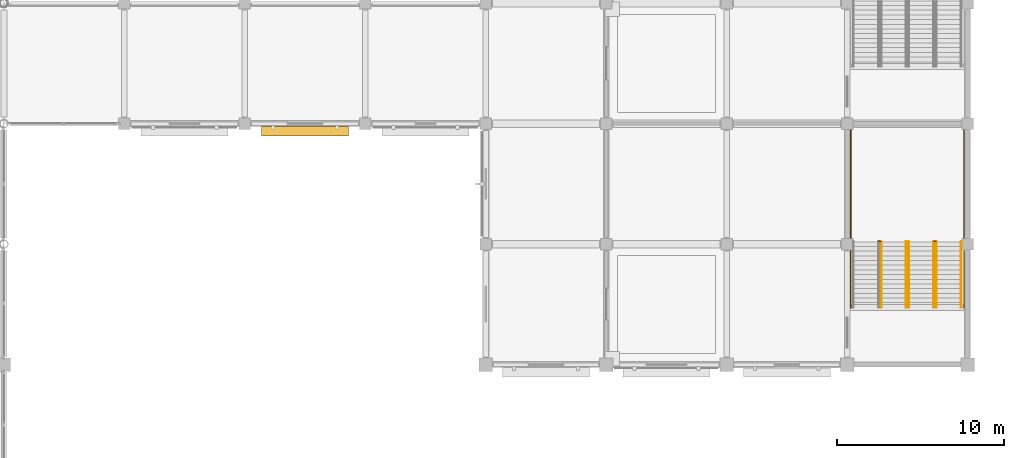
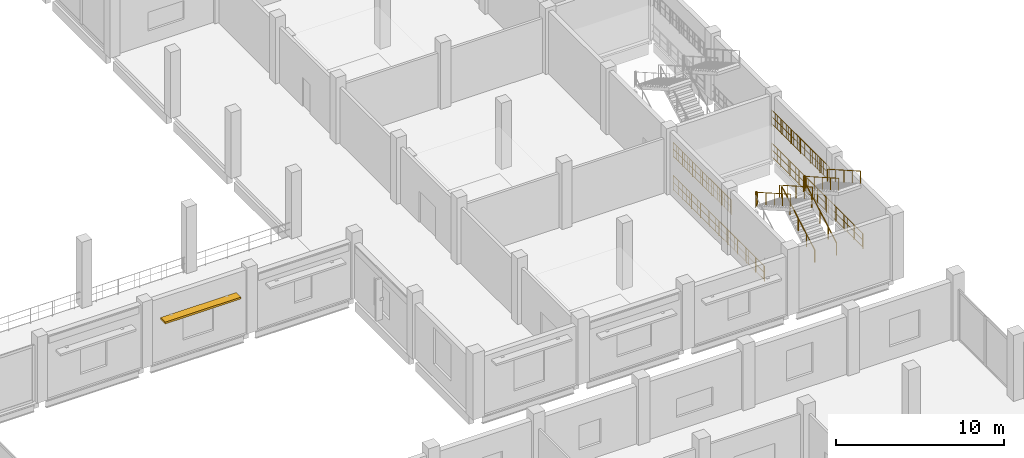
# One storey, part 96 of 99: 12 railings, 1 shading device.
"""IFC4 building model written with IfcOpenShell, lengths in metres."""

from ifc_helpers import new_model, si_unit, direction, frame, origin, origin_2d, place, context, subcontext, project, spatial, rectangle, circle, extrude, material, type_object, element, save


model = new_model("IFC4")

# Units and contexts
model_context = context("Model", 3, precision=1e-05, world=origin(), true_north=direction((0.0, 1.0)))
body_context = subcontext(model_context, "Body", "Model", "MODEL_VIEW")
ifc_project = project(units=[si_unit("LENGTHUNIT", "METRE"), si_unit("AREAUNIT", "SQUARE_METRE"), si_unit("VOLUMEUNIT", "CUBIC_METRE"), si_unit("PLANEANGLEUNIT", "RADIAN"), si_unit("MASSUNIT", "GRAM", prefix="KILO")], contexts=[model_context])

# Site, building, storey
site_placement = place(None, origin())
site = spatial("IfcSite", under=ifc_project, at=site_placement, CompositionType="ELEMENT")
building_placement = place(site_placement, origin())
building = spatial("IfcBuilding", under=site, at=building_placement, Name="Vesperath Aquatics Centre", CompositionType="ELEMENT")
storey_placement = place(building_placement, frame((0.0, 0.0, 5.39990234375)))
storey = spatial("IfcBuildingStorey", under=building, at=storey_placement, Name="L01", CompositionType="ELEMENT", Elevation=5.39990234375)

# Railings
ifc_material_1 = material(Name="Powder-coated galvanized steel safety guard", Category="steel")
railing_type_1 = type_object("IfcRailingType", Name="RL-GRD01", PredefinedType="GUARDRAIL", material=ifc_material_1)
railing_1_placement = place(storey_placement, frame((167.5, 57.780029296875, 2.400146484375)))
element("IfcRailing", 1, at=railing_1_placement, inside=storey, type_object=railing_type_1, Name="Stair ST12A Half-Landing Slot Guard GR02 L01", PredefinedType="GUARDRAIL", context=body_context, shape_type="SweptSolid", body=[
    extrude(circle(Radius=0.02392578125, at=origin_2d()), frame((0.0, 0.0, 1.0859375), z_axis=(1.0, 0.0, 0.0), x_axis=(0.0, 1.0, 0.0)), (0.0, 0.0, 1.0), 0.10009765625),
    extrude(circle(Radius=0.01611328125, at=origin_2d()), frame((0.0, 0.0, 0.10009765625), z_axis=(1.0, 0.0, 0.0), x_axis=(0.0, 1.0, 0.0)), (0.0, 0.0, 1.0), 0.10009765625),
    extrude(circle(Radius=0.01611328125, at=origin_2d()), frame((0.0, 0.0, 0.610595703125), z_axis=(1.0, 0.0, 0.0), x_axis=(0.0, 1.0, 0.0)), (0.0, 0.0, 1.0), 0.10009765625),
    extrude(circle(Radius=0.009033203125, at=origin_2d()), frame((0.050048828125, 0.0, 0.10009765625)), (0.0, 0.0, 1.0), 0.9619140625),
    extrude(circle(Radius=0.02197265625, at=origin_2d()), origin(), (0.0, 0.0, 1.0), 1.0859375),
    extrude(circle(Radius=0.02197265625, at=origin_2d()), frame((0.10009765625, 0.0, 0.0)), (0.0, 0.0, 1.0), 1.0859375),
])
railing_2_placement = place(storey_placement, frame((165.820068359375, 57.780029296875, 2.400146484375)))
element("IfcRailing", 2, at=railing_2_placement, inside=storey, type_object=railing_type_1, Name="Stair ST12A Half-Landing Wall Guard GR02 L01", PredefinedType="GUARDRAIL", context=body_context, shape_type="SweptSolid", body=[
    extrude(circle(Radius=0.02392578125, at=origin_2d()), frame((0.0, 0.0, 1.0859375), z_axis=(0.0, 1.0, 0.0), x_axis=(-1.0, 0.0, 0.0)), (0.0, 0.0, 1.0), 6.889892578125),
    extrude(circle(Radius=0.01611328125, at=origin_2d()), frame((0.0, 0.0, 0.10009765625), z_axis=(0.0, 1.0, 0.0), x_axis=(-1.0, 0.0, 0.0)), (0.0, 0.0, 1.0), 6.889892578125),
    extrude(circle(Radius=0.01611328125, at=origin_2d()), frame((0.0, 0.0, 0.610595703125), z_axis=(0.0, 1.0, 0.0), x_axis=(-1.0, 0.0, 0.0)), (0.0, 0.0, 1.0), 6.889892578125),
    extrude(circle(Radius=0.009033203125, at=origin_2d()), frame((0.0, 0.109375, 0.10009765625)), (0.0, 0.0, 1.0), 0.9619140625),
    extrude(circle(Radius=0.009033203125, at=origin_2d()), frame((0.0, 0.328125, 0.10009765625)), (0.0, 0.0, 1.0), 0.9619140625),
    extrude(circle(Radius=0.009033203125, at=origin_2d()), frame((0.0, 0.546875, 0.10009765625)), (0.0, 0.0, 1.0), 0.9619140625),
    extrude(circle(Radius=0.009033203125, at=origin_2d()), frame((0.0, 0.765625, 0.10009765625)), (0.0, 0.0, 1.0), 0.9619140625),
    extrude(circle(Radius=0.009033203125, at=origin_2d()), frame((0.0, 0.984375, 0.10009765625)), (0.0, 0.0, 1.0), 0.9619140625),
    extrude(circle(Radius=0.009033203125, at=origin_2d()), frame((0.0, 1.202880859375, 0.10009765625)), (0.0, 0.0, 1.0), 0.9619140625),
    extrude(circle(Radius=0.009033203125, at=origin_2d()), frame((0.0, 1.421630859375, 0.10009765625)), (0.0, 0.0, 1.0), 0.9619140625),
    extrude(circle(Radius=0.009033203125, at=origin_2d()), frame((0.0, 1.640380859375, 0.10009765625)), (0.0, 0.0, 1.0), 0.9619140625),
    extrude(circle(Radius=0.009033203125, at=origin_2d()), frame((0.0, 1.859130859375, 0.10009765625)), (0.0, 0.0, 1.0), 0.9619140625),
    extrude(circle(Radius=0.009033203125, at=origin_2d()), frame((0.0, 2.077880859375, 0.10009765625)), (0.0, 0.0, 1.0), 0.9619140625),
    extrude(circle(Radius=0.009033203125, at=origin_2d()), frame((0.0, 2.296630859375, 0.10009765625)), (0.0, 0.0, 1.0), 0.9619140625),
    extrude(circle(Radius=0.009033203125, at=origin_2d()), frame((0.0, 2.515380859375, 0.10009765625)), (0.0, 0.0, 1.0), 0.9619140625),
    extrude(circle(Radius=0.009033203125, at=origin_2d()), frame((0.0, 2.734130859375, 0.10009765625)), (0.0, 0.0, 1.0), 0.9619140625),
    extrude(circle(Radius=0.009033203125, at=origin_2d()), frame((0.0, 2.952880859375, 0.10009765625)), (0.0, 0.0, 1.0), 0.9619140625),
    extrude(circle(Radius=0.009033203125, at=origin_2d()), frame((0.0, 3.171630859375, 0.10009765625)), (0.0, 0.0, 1.0), 0.9619140625),
    extrude(circle(Radius=0.009033203125, at=origin_2d()), frame((0.0, 3.390380859375, 0.10009765625)), (0.0, 0.0, 1.0), 0.9619140625),
    extrude(circle(Radius=0.009033203125, at=origin_2d()), frame((0.0, 3.60888671875, 0.10009765625)), (0.0, 0.0, 1.0), 0.9619140625),
    extrude(circle(Radius=0.009033203125, at=origin_2d()), frame((0.0, 3.82763671875, 0.10009765625)), (0.0, 0.0, 1.0), 0.9619140625),
    extrude(circle(Radius=0.009033203125, at=origin_2d()), frame((0.0, 4.04638671875, 0.10009765625)), (0.0, 0.0, 1.0), 0.9619140625),
    extrude(circle(Radius=0.009033203125, at=origin_2d()), frame((0.0, 4.26513671875, 0.10009765625)), (0.0, 0.0, 1.0), 0.9619140625),
    extrude(circle(Radius=0.009033203125, at=origin_2d()), frame((0.0, 4.48388671875, 0.10009765625)), (0.0, 0.0, 1.0), 0.9619140625),
    extrude(circle(Radius=0.009033203125, at=origin_2d()), frame((0.0, 4.70263671875, 0.10009765625)), (0.0, 0.0, 1.0), 0.9619140625),
    extrude(circle(Radius=0.009033203125, at=origin_2d()), frame((0.0, 4.92138671875, 0.10009765625)), (0.0, 0.0, 1.0), 0.9619140625),
    extrude(circle(Radius=0.009033203125, at=origin_2d()), frame((0.0, 5.14013671875, 0.10009765625)), (0.0, 0.0, 1.0), 0.9619140625),
    extrude(circle(Radius=0.009033203125, at=origin_2d()), frame((0.0, 5.35888671875, 0.10009765625)), (0.0, 0.0, 1.0), 0.9619140625),
    extrude(circle(Radius=0.009033203125, at=origin_2d()), frame((0.0, 5.57763671875, 0.10009765625)), (0.0, 0.0, 1.0), 0.9619140625),
    extrude(circle(Radius=0.009033203125, at=origin_2d()), frame((0.0, 5.796142578125, 0.10009765625)), (0.0, 0.0, 1.0), 0.9619140625),
    extrude(circle(Radius=0.009033203125, at=origin_2d()), frame((0.0, 6.014892578125, 0.10009765625)), (0.0, 0.0, 1.0), 0.9619140625),
    extrude(circle(Radius=0.009033203125, at=origin_2d()), frame((0.0, 6.233642578125, 0.10009765625)), (0.0, 0.0, 1.0), 0.9619140625),
    extrude(circle(Radius=0.009033203125, at=origin_2d()), frame((0.0, 6.452392578125, 0.10009765625)), (0.0, 0.0, 1.0), 0.9619140625),
    extrude(circle(Radius=0.009033203125, at=origin_2d()), frame((0.0, 6.671142578125, 0.10009765625)), (0.0, 0.0, 1.0), 0.9619140625),
    extrude(circle(Radius=0.02197265625, at=origin_2d()), origin(), (0.0, 0.0, 1.0), 1.0859375),
    extrude(circle(Radius=0.02197265625, at=origin_2d()), frame((0.0, 1.1484375, 0.0)), (0.0, 0.0, 1.0), 1.0859375),
    extrude(circle(Radius=0.02197265625, at=origin_2d()), frame((0.0, 2.296630859375, 0.0)), (0.0, 0.0, 1.0), 1.0859375),
    extrude(circle(Radius=0.02197265625, at=origin_2d()), frame((0.0, 3.44482421875, 0.0)), (0.0, 0.0, 1.0), 1.0859375),
    extrude(circle(Radius=0.02197265625, at=origin_2d()), frame((0.0, 4.59326171875, 0.0)), (0.0, 0.0, 1.0), 1.0859375),
    extrude(circle(Radius=0.02197265625, at=origin_2d()), frame((0.0, 5.74169921875, 0.0)), (0.0, 0.0, 1.0), 1.0859375),
    extrude(circle(Radius=0.02197265625, at=origin_2d()), frame((0.0, 6.889892578125, 0.0)), (0.0, 0.0, 1.0), 1.0859375),
])
railing_3_placement = place(storey_placement, frame((165.820068359375, 53.800048828125, 0.0)))
element("IfcRailing", 3, at=railing_3_placement, inside=storey, type_object=railing_type_1, Name="Stair ST12A Shaft Side Guard GR02 L01", PredefinedType="GUARDRAIL", context=body_context, shape_type="SweptSolid", body=[
    extrude(circle(Radius=0.02392578125, at=origin_2d()), frame((0.0, 0.0, 1.0859375), z_axis=(0.0, 1.0, 0.0), x_axis=(-1.0, 0.0, 0.0)), (0.0, 0.0, 1.0), 10.869873046875),
    extrude(circle(Radius=0.01611328125, at=origin_2d()), frame((0.0, 0.0, 0.10009765625), z_axis=(0.0, 1.0, 0.0), x_axis=(-1.0, 0.0, 0.0)), (0.0, 0.0, 1.0), 10.869873046875),
    extrude(circle(Radius=0.01611328125, at=origin_2d()), frame((0.0, 0.0, 0.610595703125), z_axis=(0.0, 1.0, 0.0), x_axis=(-1.0, 0.0, 0.0)), (0.0, 0.0, 1.0), 10.869873046875),
    extrude(circle(Radius=0.009033203125, at=origin_2d()), frame((0.0, 0.10986328125, 0.10009765625)), (0.0, 0.0, 1.0), 0.9619140625),
    extrude(circle(Radius=0.009033203125, at=origin_2d()), frame((0.0, 0.549072265625, 0.10009765625)), (0.0, 0.0, 1.0), 0.9619140625),
    extrude(circle(Radius=0.009033203125, at=origin_2d()), frame((0.0, 0.98828125, 0.10009765625)), (0.0, 0.0, 1.0), 0.9619140625),
    extrude(circle(Radius=0.009033203125, at=origin_2d()), frame((0.0, 1.42724609375, 0.10009765625)), (0.0, 0.0, 1.0), 0.9619140625),
    extrude(circle(Radius=0.009033203125, at=origin_2d()), frame((0.0, 1.866455078125, 0.10009765625)), (0.0, 0.0, 1.0), 0.9619140625),
    extrude(circle(Radius=0.009033203125, at=origin_2d()), frame((0.0, 2.3056640625, 0.10009765625)), (0.0, 0.0, 1.0), 0.9619140625),
    extrude(circle(Radius=0.009033203125, at=origin_2d()), frame((0.0, 2.744873046875, 0.10009765625)), (0.0, 0.0, 1.0), 0.9619140625),
    extrude(circle(Radius=0.009033203125, at=origin_2d()), frame((0.0, 3.18408203125, 0.10009765625)), (0.0, 0.0, 1.0), 0.9619140625),
    extrude(circle(Radius=0.009033203125, at=origin_2d()), frame((0.0, 3.623291015625, 0.10009765625)), (0.0, 0.0, 1.0), 0.9619140625),
    extrude(circle(Radius=0.009033203125, at=origin_2d()), frame((0.0, 4.0625, 0.10009765625)), (0.0, 0.0, 1.0), 0.9619140625),
    extrude(circle(Radius=0.009033203125, at=origin_2d()), frame((0.0, 4.501708984375, 0.10009765625)), (0.0, 0.0, 1.0), 0.9619140625),
    extrude(circle(Radius=0.009033203125, at=origin_2d()), frame((0.0, 4.94091796875, 0.10009765625)), (0.0, 0.0, 1.0), 0.9619140625),
    extrude(circle(Radius=0.009033203125, at=origin_2d()), frame((0.0, 5.380126953125, 0.10009765625)), (0.0, 0.0, 1.0), 0.9619140625),
    extrude(circle(Radius=0.009033203125, at=origin_2d()), frame((0.0, 5.8193359375, 0.10009765625)), (0.0, 0.0, 1.0), 0.9619140625),
    extrude(circle(Radius=0.009033203125, at=origin_2d()), frame((0.0, 6.25830078125, 0.10009765625)), (0.0, 0.0, 1.0), 0.9619140625),
    extrude(circle(Radius=0.009033203125, at=origin_2d()), frame((0.0, 6.697509765625, 0.10009765625)), (0.0, 0.0, 1.0), 0.9619140625),
    extrude(circle(Radius=0.009033203125, at=origin_2d()), frame((0.0, 7.13671875, 0.10009765625)), (0.0, 0.0, 1.0), 0.9619140625),
    extrude(circle(Radius=0.009033203125, at=origin_2d()), frame((0.0, 7.575927734375, 0.10009765625)), (0.0, 0.0, 1.0), 0.9619140625),
    extrude(circle(Radius=0.009033203125, at=origin_2d()), frame((0.0, 8.01513671875, 0.10009765625)), (0.0, 0.0, 1.0), 0.9619140625),
    extrude(circle(Radius=0.009033203125, at=origin_2d()), frame((0.0, 8.454345703125, 0.10009765625)), (0.0, 0.0, 1.0), 0.9619140625),
    extrude(circle(Radius=0.009033203125, at=origin_2d()), frame((0.0, 8.8935546875, 0.10009765625)), (0.0, 0.0, 1.0), 0.9619140625),
    extrude(circle(Radius=0.009033203125, at=origin_2d()), frame((0.0, 9.332763671875, 0.10009765625)), (0.0, 0.0, 1.0), 0.9619140625),
    extrude(circle(Radius=0.009033203125, at=origin_2d()), frame((0.0, 9.77197265625, 0.10009765625)), (0.0, 0.0, 1.0), 0.9619140625),
    extrude(circle(Radius=0.009033203125, at=origin_2d()), frame((0.0, 10.211181640625, 0.10009765625)), (0.0, 0.0, 1.0), 0.9619140625),
    extrude(circle(Radius=0.009033203125, at=origin_2d()), frame((0.0, 10.650390625, 0.10009765625)), (0.0, 0.0, 1.0), 0.9619140625),
    extrude(circle(Radius=0.02197265625, at=origin_2d()), origin(), (0.0, 0.0, 1.0), 1.0859375),
    extrude(circle(Radius=0.02197265625, at=origin_2d()), frame((0.0, 1.0869140625, 0.0)), (0.0, 0.0, 1.0), 1.0859375),
    extrude(circle(Radius=0.02197265625, at=origin_2d()), frame((0.0, 2.174072265625, 0.0)), (0.0, 0.0, 1.0), 1.0859375),
    extrude(circle(Radius=0.02197265625, at=origin_2d()), frame((0.0, 3.260986328125, 0.0)), (0.0, 0.0, 1.0), 1.0859375),
    extrude(circle(Radius=0.02197265625, at=origin_2d()), frame((0.0, 4.347900390625, 0.0)), (0.0, 0.0, 1.0), 1.0859375),
    extrude(circle(Radius=0.02197265625, at=origin_2d()), frame((0.0, 5.43505859375, 0.0)), (0.0, 0.0, 1.0), 1.0859375),
    extrude(circle(Radius=0.02197265625, at=origin_2d()), frame((0.0, 6.52197265625, 0.0)), (0.0, 0.0, 1.0), 1.0859375),
    extrude(circle(Radius=0.02197265625, at=origin_2d()), frame((0.0, 7.60888671875, 0.0)), (0.0, 0.0, 1.0), 1.0859375),
    extrude(circle(Radius=0.02197265625, at=origin_2d()), frame((0.0, 8.69580078125, 0.0)), (0.0, 0.0, 1.0), 1.0859375),
    extrude(circle(Radius=0.02197265625, at=origin_2d()), frame((0.0, 9.782958984375, 0.0)), (0.0, 0.0, 1.0), 1.0859375),
    extrude(circle(Radius=0.02197265625, at=origin_2d()), frame((0.0, 10.869873046875, 0.0)), (0.0, 0.0, 1.0), 1.0859375),
])
railing_4_placement = place(storey_placement, frame((170.800048828125, 57.780029296875, 2.400146484375)))
element("IfcRailing", 4, at=railing_4_placement, inside=storey, type_object=railing_type_1, Name="Stair ST12B Half-Landing Slot Guard GR02 L01", PredefinedType="GUARDRAIL", context=body_context, shape_type="SweptSolid", body=[
    extrude(circle(Radius=0.02392578125, at=origin_2d()), frame((0.0, 0.0, 1.0859375), z_axis=(1.0, 0.0, 0.0), x_axis=(0.0, 1.0, 0.0)), (0.0, 0.0, 1.0), 0.099853515625),
    extrude(circle(Radius=0.01611328125, at=origin_2d()), frame((0.0, 0.0, 0.10009765625), z_axis=(1.0, 0.0, 0.0), x_axis=(0.0, 1.0, 0.0)), (0.0, 0.0, 1.0), 0.099853515625),
    extrude(circle(Radius=0.01611328125, at=origin_2d()), frame((0.0, 0.0, 0.610595703125), z_axis=(1.0, 0.0, 0.0), x_axis=(0.0, 1.0, 0.0)), (0.0, 0.0, 1.0), 0.099853515625),
    extrude(circle(Radius=0.009033203125, at=origin_2d()), frame((0.0498046875, 0.0, 0.10009765625)), (0.0, 0.0, 1.0), 0.9619140625),
    extrude(circle(Radius=0.02197265625, at=origin_2d()), origin(), (0.0, 0.0, 1.0), 1.0859375),
    extrude(circle(Radius=0.02197265625, at=origin_2d()), frame((0.099853515625, 0.0, 0.0)), (0.0, 0.0, 1.0), 1.0859375),
])
railing_5_placement = place(storey_placement, frame((172.580078125, 57.780029296875, 2.400146484375)))
element("IfcRailing", 5, at=railing_5_placement, inside=storey, type_object=railing_type_1, Name="Stair ST12B Half-Landing Wall Guard GR02 L01", PredefinedType="GUARDRAIL", context=body_context, shape_type="SweptSolid", body=[
    extrude(circle(Radius=0.02392578125, at=origin_2d()), frame((0.0, 0.0, 1.0859375), z_axis=(0.0, 1.0, 0.0), x_axis=(-1.0, 0.0, 0.0)), (0.0, 0.0, 1.0), 6.889892578125),
    extrude(circle(Radius=0.01611328125, at=origin_2d()), frame((0.0, 0.0, 0.10009765625), z_axis=(0.0, 1.0, 0.0), x_axis=(-1.0, 0.0, 0.0)), (0.0, 0.0, 1.0), 6.889892578125),
    extrude(circle(Radius=0.01611328125, at=origin_2d()), frame((0.0, 0.0, 0.610595703125), z_axis=(0.0, 1.0, 0.0), x_axis=(-1.0, 0.0, 0.0)), (0.0, 0.0, 1.0), 6.889892578125),
    extrude(circle(Radius=0.009033203125, at=origin_2d()), frame((0.0, 0.109375, 0.10009765625)), (0.0, 0.0, 1.0), 0.9619140625),
    extrude(circle(Radius=0.009033203125, at=origin_2d()), frame((0.0, 0.328125, 0.10009765625)), (0.0, 0.0, 1.0), 0.9619140625),
    extrude(circle(Radius=0.009033203125, at=origin_2d()), frame((0.0, 0.546875, 0.10009765625)), (0.0, 0.0, 1.0), 0.9619140625),
    extrude(circle(Radius=0.009033203125, at=origin_2d()), frame((0.0, 0.765625, 0.10009765625)), (0.0, 0.0, 1.0), 0.9619140625),
    extrude(circle(Radius=0.009033203125, at=origin_2d()), frame((0.0, 0.984375, 0.10009765625)), (0.0, 0.0, 1.0), 0.9619140625),
    extrude(circle(Radius=0.009033203125, at=origin_2d()), frame((0.0, 1.202880859375, 0.10009765625)), (0.0, 0.0, 1.0), 0.9619140625),
    extrude(circle(Radius=0.009033203125, at=origin_2d()), frame((0.0, 1.421630859375, 0.10009765625)), (0.0, 0.0, 1.0), 0.9619140625),
    extrude(circle(Radius=0.009033203125, at=origin_2d()), frame((0.0, 1.640380859375, 0.10009765625)), (0.0, 0.0, 1.0), 0.9619140625),
    extrude(circle(Radius=0.009033203125, at=origin_2d()), frame((0.0, 1.859130859375, 0.10009765625)), (0.0, 0.0, 1.0), 0.9619140625),
    extrude(circle(Radius=0.009033203125, at=origin_2d()), frame((0.0, 2.077880859375, 0.10009765625)), (0.0, 0.0, 1.0), 0.9619140625),
    extrude(circle(Radius=0.009033203125, at=origin_2d()), frame((0.0, 2.296630859375, 0.10009765625)), (0.0, 0.0, 1.0), 0.9619140625),
    extrude(circle(Radius=0.009033203125, at=origin_2d()), frame((0.0, 2.515380859375, 0.10009765625)), (0.0, 0.0, 1.0), 0.9619140625),
    extrude(circle(Radius=0.009033203125, at=origin_2d()), frame((0.0, 2.734130859375, 0.10009765625)), (0.0, 0.0, 1.0), 0.9619140625),
    extrude(circle(Radius=0.009033203125, at=origin_2d()), frame((0.0, 2.952880859375, 0.10009765625)), (0.0, 0.0, 1.0), 0.9619140625),
    extrude(circle(Radius=0.009033203125, at=origin_2d()), frame((0.0, 3.171630859375, 0.10009765625)), (0.0, 0.0, 1.0), 0.9619140625),
    extrude(circle(Radius=0.009033203125, at=origin_2d()), frame((0.0, 3.390380859375, 0.10009765625)), (0.0, 0.0, 1.0), 0.9619140625),
    extrude(circle(Radius=0.009033203125, at=origin_2d()), frame((0.0, 3.60888671875, 0.10009765625)), (0.0, 0.0, 1.0), 0.9619140625),
    extrude(circle(Radius=0.009033203125, at=origin_2d()), frame((0.0, 3.82763671875, 0.10009765625)), (0.0, 0.0, 1.0), 0.9619140625),
    extrude(circle(Radius=0.009033203125, at=origin_2d()), frame((0.0, 4.04638671875, 0.10009765625)), (0.0, 0.0, 1.0), 0.9619140625),
    extrude(circle(Radius=0.009033203125, at=origin_2d()), frame((0.0, 4.26513671875, 0.10009765625)), (0.0, 0.0, 1.0), 0.9619140625),
    extrude(circle(Radius=0.009033203125, at=origin_2d()), frame((0.0, 4.48388671875, 0.10009765625)), (0.0, 0.0, 1.0), 0.9619140625),
    extrude(circle(Radius=0.009033203125, at=origin_2d()), frame((0.0, 4.70263671875, 0.10009765625)), (0.0, 0.0, 1.0), 0.9619140625),
    extrude(circle(Radius=0.009033203125, at=origin_2d()), frame((0.0, 4.92138671875, 0.10009765625)), (0.0, 0.0, 1.0), 0.9619140625),
    extrude(circle(Radius=0.009033203125, at=origin_2d()), frame((0.0, 5.14013671875, 0.10009765625)), (0.0, 0.0, 1.0), 0.9619140625),
    extrude(circle(Radius=0.009033203125, at=origin_2d()), frame((0.0, 5.35888671875, 0.10009765625)), (0.0, 0.0, 1.0), 0.9619140625),
    extrude(circle(Radius=0.009033203125, at=origin_2d()), frame((0.0, 5.57763671875, 0.10009765625)), (0.0, 0.0, 1.0), 0.9619140625),
    extrude(circle(Radius=0.009033203125, at=origin_2d()), frame((0.0, 5.796142578125, 0.10009765625)), (0.0, 0.0, 1.0), 0.9619140625),
    extrude(circle(Radius=0.009033203125, at=origin_2d()), frame((0.0, 6.014892578125, 0.10009765625)), (0.0, 0.0, 1.0), 0.9619140625),
    extrude(circle(Radius=0.009033203125, at=origin_2d()), frame((0.0, 6.233642578125, 0.10009765625)), (0.0, 0.0, 1.0), 0.9619140625),
    extrude(circle(Radius=0.009033203125, at=origin_2d()), frame((0.0, 6.452392578125, 0.10009765625)), (0.0, 0.0, 1.0), 0.9619140625),
    extrude(circle(Radius=0.009033203125, at=origin_2d()), frame((0.0, 6.671142578125, 0.10009765625)), (0.0, 0.0, 1.0), 0.9619140625),
    extrude(circle(Radius=0.02197265625, at=origin_2d()), origin(), (0.0, 0.0, 1.0), 1.0859375),
    extrude(circle(Radius=0.02197265625, at=origin_2d()), frame((0.0, 1.1484375, 0.0)), (0.0, 0.0, 1.0), 1.0859375),
    extrude(circle(Radius=0.02197265625, at=origin_2d()), frame((0.0, 2.296630859375, 0.0)), (0.0, 0.0, 1.0), 1.0859375),
    extrude(circle(Radius=0.02197265625, at=origin_2d()), frame((0.0, 3.44482421875, 0.0)), (0.0, 0.0, 1.0), 1.0859375),
    extrude(circle(Radius=0.02197265625, at=origin_2d()), frame((0.0, 4.59326171875, 0.0)), (0.0, 0.0, 1.0), 1.0859375),
    extrude(circle(Radius=0.02197265625, at=origin_2d()), frame((0.0, 5.74169921875, 0.0)), (0.0, 0.0, 1.0), 1.0859375),
    extrude(circle(Radius=0.02197265625, at=origin_2d()), frame((0.0, 6.889892578125, 0.0)), (0.0, 0.0, 1.0), 1.0859375),
])
railing_6_placement = place(storey_placement, frame((172.580078125, 53.800048828125, 0.0)))
element("IfcRailing", 6, at=railing_6_placement, inside=storey, type_object=railing_type_1, Name="Stair ST12B Shaft Side Guard GR02 L01", PredefinedType="GUARDRAIL", context=body_context, shape_type="SweptSolid", body=[
    extrude(circle(Radius=0.02392578125, at=origin_2d()), frame((0.0, 0.0, 1.0859375), z_axis=(0.0, 1.0, 0.0), x_axis=(-1.0, 0.0, 0.0)), (0.0, 0.0, 1.0), 10.869873046875),
    extrude(circle(Radius=0.01611328125, at=origin_2d()), frame((0.0, 0.0, 0.10009765625), z_axis=(0.0, 1.0, 0.0), x_axis=(-1.0, 0.0, 0.0)), (0.0, 0.0, 1.0), 10.869873046875),
    extrude(circle(Radius=0.01611328125, at=origin_2d()), frame((0.0, 0.0, 0.610595703125), z_axis=(0.0, 1.0, 0.0), x_axis=(-1.0, 0.0, 0.0)), (0.0, 0.0, 1.0), 10.869873046875),
    extrude(circle(Radius=0.009033203125, at=origin_2d()), frame((0.0, 0.10986328125, 0.10009765625)), (0.0, 0.0, 1.0), 0.9619140625),
    extrude(circle(Radius=0.009033203125, at=origin_2d()), frame((0.0, 0.549072265625, 0.10009765625)), (0.0, 0.0, 1.0), 0.9619140625),
    extrude(circle(Radius=0.009033203125, at=origin_2d()), frame((0.0, 0.98828125, 0.10009765625)), (0.0, 0.0, 1.0), 0.9619140625),
    extrude(circle(Radius=0.009033203125, at=origin_2d()), frame((0.0, 1.42724609375, 0.10009765625)), (0.0, 0.0, 1.0), 0.9619140625),
    extrude(circle(Radius=0.009033203125, at=origin_2d()), frame((0.0, 1.866455078125, 0.10009765625)), (0.0, 0.0, 1.0), 0.9619140625),
    extrude(circle(Radius=0.009033203125, at=origin_2d()), frame((0.0, 2.3056640625, 0.10009765625)), (0.0, 0.0, 1.0), 0.9619140625),
    extrude(circle(Radius=0.009033203125, at=origin_2d()), frame((0.0, 2.744873046875, 0.10009765625)), (0.0, 0.0, 1.0), 0.9619140625),
    extrude(circle(Radius=0.009033203125, at=origin_2d()), frame((0.0, 3.18408203125, 0.10009765625)), (0.0, 0.0, 1.0), 0.9619140625),
    extrude(circle(Radius=0.009033203125, at=origin_2d()), frame((0.0, 3.623291015625, 0.10009765625)), (0.0, 0.0, 1.0), 0.9619140625),
    extrude(circle(Radius=0.009033203125, at=origin_2d()), frame((0.0, 4.0625, 0.10009765625)), (0.0, 0.0, 1.0), 0.9619140625),
    extrude(circle(Radius=0.009033203125, at=origin_2d()), frame((0.0, 4.501708984375, 0.10009765625)), (0.0, 0.0, 1.0), 0.9619140625),
    extrude(circle(Radius=0.009033203125, at=origin_2d()), frame((0.0, 4.94091796875, 0.10009765625)), (0.0, 0.0, 1.0), 0.9619140625),
    extrude(circle(Radius=0.009033203125, at=origin_2d()), frame((0.0, 5.380126953125, 0.10009765625)), (0.0, 0.0, 1.0), 0.9619140625),
    extrude(circle(Radius=0.009033203125, at=origin_2d()), frame((0.0, 5.8193359375, 0.10009765625)), (0.0, 0.0, 1.0), 0.9619140625),
    extrude(circle(Radius=0.009033203125, at=origin_2d()), frame((0.0, 6.25830078125, 0.10009765625)), (0.0, 0.0, 1.0), 0.9619140625),
    extrude(circle(Radius=0.009033203125, at=origin_2d()), frame((0.0, 6.697509765625, 0.10009765625)), (0.0, 0.0, 1.0), 0.9619140625),
    extrude(circle(Radius=0.009033203125, at=origin_2d()), frame((0.0, 7.13671875, 0.10009765625)), (0.0, 0.0, 1.0), 0.9619140625),
    extrude(circle(Radius=0.009033203125, at=origin_2d()), frame((0.0, 7.575927734375, 0.10009765625)), (0.0, 0.0, 1.0), 0.9619140625),
    extrude(circle(Radius=0.009033203125, at=origin_2d()), frame((0.0, 8.01513671875, 0.10009765625)), (0.0, 0.0, 1.0), 0.9619140625),
    extrude(circle(Radius=0.009033203125, at=origin_2d()), frame((0.0, 8.454345703125, 0.10009765625)), (0.0, 0.0, 1.0), 0.9619140625),
    extrude(circle(Radius=0.009033203125, at=origin_2d()), frame((0.0, 8.8935546875, 0.10009765625)), (0.0, 0.0, 1.0), 0.9619140625),
    extrude(circle(Radius=0.009033203125, at=origin_2d()), frame((0.0, 9.332763671875, 0.10009765625)), (0.0, 0.0, 1.0), 0.9619140625),
    extrude(circle(Radius=0.009033203125, at=origin_2d()), frame((0.0, 9.77197265625, 0.10009765625)), (0.0, 0.0, 1.0), 0.9619140625),
    extrude(circle(Radius=0.009033203125, at=origin_2d()), frame((0.0, 10.211181640625, 0.10009765625)), (0.0, 0.0, 1.0), 0.9619140625),
    extrude(circle(Radius=0.009033203125, at=origin_2d()), frame((0.0, 10.650390625, 0.10009765625)), (0.0, 0.0, 1.0), 0.9619140625),
    extrude(circle(Radius=0.02197265625, at=origin_2d()), origin(), (0.0, 0.0, 1.0), 1.0859375),
    extrude(circle(Radius=0.02197265625, at=origin_2d()), frame((0.0, 1.0869140625, 0.0)), (0.0, 0.0, 1.0), 1.0859375),
    extrude(circle(Radius=0.02197265625, at=origin_2d()), frame((0.0, 2.174072265625, 0.0)), (0.0, 0.0, 1.0), 1.0859375),
    extrude(circle(Radius=0.02197265625, at=origin_2d()), frame((0.0, 3.260986328125, 0.0)), (0.0, 0.0, 1.0), 1.0859375),
    extrude(circle(Radius=0.02197265625, at=origin_2d()), frame((0.0, 4.347900390625, 0.0)), (0.0, 0.0, 1.0), 1.0859375),
    extrude(circle(Radius=0.02197265625, at=origin_2d()), frame((0.0, 5.43505859375, 0.0)), (0.0, 0.0, 1.0), 1.0859375),
    extrude(circle(Radius=0.02197265625, at=origin_2d()), frame((0.0, 6.52197265625, 0.0)), (0.0, 0.0, 1.0), 1.0859375),
    extrude(circle(Radius=0.02197265625, at=origin_2d()), frame((0.0, 7.60888671875, 0.0)), (0.0, 0.0, 1.0), 1.0859375),
    extrude(circle(Radius=0.02197265625, at=origin_2d()), frame((0.0, 8.69580078125, 0.0)), (0.0, 0.0, 1.0), 1.0859375),
    extrude(circle(Radius=0.02197265625, at=origin_2d()), frame((0.0, 9.782958984375, 0.0)), (0.0, 0.0, 1.0), 1.0859375),
    extrude(circle(Radius=0.02197265625, at=origin_2d()), frame((0.0, 10.869873046875, 0.0)), (0.0, 0.0, 1.0), 1.0859375),
])
ifc_material_2 = material(Name="Brushed stainless steel tubular handrail", Category="steel")
railing_type_2 = type_object("IfcRailingType", Name="RL-HND01", PredefinedType="HANDRAIL", material=ifc_material_2)
for number, where, name in (
    (7, (167.6298828125, 57.739990234375, 2.56005859375), "Stair ST12A Flight 2 Handrail HR01 L01"),
    (8, (169.1201171875, 57.739990234375, 2.56005859375), "Stair ST12A Flight 2 Handrail HR01 L01"),
):
    element("IfcRailing", number, at=place(storey_placement, frame(where)), inside=storey, type_object=railing_type_2, Name=name, PredefinedType="HANDRAIL", context=body_context, shape_type="SweptSolid", body=[
        extrude(circle(Radius=0.02392578125, at=origin_2d()), frame((0.0, 0.0, 0.8759765625), z_axis=(0.0, -0.868239814368, 0.496144761885), x_axis=(1.0, 0.0, 0.0)), (0.0, 0.0, 1.0), 4.514892578125),
        extrude(circle(Radius=0.02197265625, at=origin_2d()), origin(), (0.0, 0.0, 1.0), 0.8759765625),
        extrude(circle(Radius=0.02197265625, at=origin_2d()), frame((0.0, -0.97998046875, 0.56005859375)), (0.0, 0.0, 1.0), 0.8759765625),
        extrude(circle(Radius=0.02197265625, at=origin_2d()), frame((0.0, -1.9599609375, 1.1201171875)), (0.0, 0.0, 1.0), 0.8759765625),
        extrude(circle(Radius=0.02197265625, at=origin_2d()), frame((0.0, -2.93994140625, 1.679931640625)), (0.0, 0.0, 1.0), 0.8759765625),
        extrude(circle(Radius=0.02197265625, at=origin_2d()), frame((0.0, -3.919921875, 2.239990234375)), (0.0, 0.0, 1.0), 0.8759765625),
    ])
railing_7_placement = place(storey_placement, frame((170.77001953125, 53.820068359375, 0.16015625)))
element("IfcRailing", 9, at=railing_7_placement, inside=storey, type_object=railing_type_2, Name="Stair ST12B Flight 1 Handrail HR01 L01", PredefinedType="HANDRAIL", context=body_context, shape_type="SweptSolid", body=[
    extrude(circle(Radius=0.02392578125, at=origin_2d()), frame((0.0, 0.0, 0.8759765625), z_axis=(0.0, 0.868239814368, 0.496144761885), x_axis=(-1.0, 0.0, 0.0)), (0.0, 0.0, 1.0), 4.514892578125),
    extrude(circle(Radius=0.02197265625, at=origin_2d()), origin(), (0.0, 0.0, 1.0), 0.8759765625),
    extrude(circle(Radius=0.02197265625, at=origin_2d()), frame((0.0, 0.97998046875, 0.56005859375)), (0.0, 0.0, 1.0), 0.8759765625),
    extrude(circle(Radius=0.02197265625, at=origin_2d()), frame((0.0, 1.9599609375, 1.1201171875)), (0.0, 0.0, 1.0), 0.8759765625),
    extrude(circle(Radius=0.02197265625, at=origin_2d()), frame((0.0, 2.93994140625, 1.679931640625)), (0.0, 0.0, 1.0), 0.8759765625),
    extrude(circle(Radius=0.02197265625, at=origin_2d()), frame((0.0, 3.919921875, 2.239990234375)), (0.0, 0.0, 1.0), 0.8759765625),
])
railing_8_placement = place(storey_placement, frame((170.929931640625, 57.739990234375, 2.56005859375)))
element("IfcRailing", 10, at=railing_8_placement, inside=storey, type_object=railing_type_2, Name="Stair ST12B Flight 2 Handrail HR01 L01", PredefinedType="HANDRAIL", context=body_context, shape_type="SweptSolid", body=[
    extrude(circle(Radius=0.02392578125, at=origin_2d()), frame((0.0, 0.0, 0.8759765625), z_axis=(0.0, -0.868239814368, 0.496144761885), x_axis=(1.0, 0.0, 0.0)), (0.0, 0.0, 1.0), 4.514892578125),
    extrude(circle(Radius=0.02197265625, at=origin_2d()), origin(), (0.0, 0.0, 1.0), 0.8759765625),
    extrude(circle(Radius=0.02197265625, at=origin_2d()), frame((0.0, -0.97998046875, 0.56005859375)), (0.0, 0.0, 1.0), 0.8759765625),
    extrude(circle(Radius=0.02197265625, at=origin_2d()), frame((0.0, -1.9599609375, 1.1201171875)), (0.0, 0.0, 1.0), 0.8759765625),
    extrude(circle(Radius=0.02197265625, at=origin_2d()), frame((0.0, -2.93994140625, 1.679931640625)), (0.0, 0.0, 1.0), 0.8759765625),
    extrude(circle(Radius=0.02197265625, at=origin_2d()), frame((0.0, -3.919921875, 2.239990234375)), (0.0, 0.0, 1.0), 0.8759765625),
])
railing_9_placement = place(storey_placement, frame((169.280029296875, 53.820068359375, 0.16015625)))
element("IfcRailing", 11, at=railing_9_placement, inside=storey, type_object=railing_type_2, Name="Stair ST12B Flight 1 Handrail HR01 L01", PredefinedType="HANDRAIL", context=body_context, shape_type="SweptSolid", body=[
    extrude(circle(Radius=0.02392578125, at=origin_2d()), frame((0.0, 0.0, 0.8759765625), z_axis=(0.0, 0.868239814368, 0.496144761885), x_axis=(-1.0, 0.0, 0.0)), (0.0, 0.0, 1.0), 4.514892578125),
    extrude(circle(Radius=0.02197265625, at=origin_2d()), origin(), (0.0, 0.0, 1.0), 0.8759765625),
    extrude(circle(Radius=0.02197265625, at=origin_2d()), frame((0.0, 0.97998046875, 0.56005859375)), (0.0, 0.0, 1.0), 0.8759765625),
    extrude(circle(Radius=0.02197265625, at=origin_2d()), frame((0.0, 1.9599609375, 1.1201171875)), (0.0, 0.0, 1.0), 0.8759765625),
    extrude(circle(Radius=0.02197265625, at=origin_2d()), frame((0.0, 2.93994140625, 1.679931640625)), (0.0, 0.0, 1.0), 0.8759765625),
    extrude(circle(Radius=0.02197265625, at=origin_2d()), frame((0.0, 3.919921875, 2.239990234375)), (0.0, 0.0, 1.0), 0.8759765625),
])
railing_10_placement = place(storey_placement, frame((172.419921875, 57.739990234375, 2.56005859375)))
element("IfcRailing", 12, at=railing_10_placement, inside=storey, type_object=railing_type_2, Name="Stair ST12B Flight 2 Handrail HR01 L01", PredefinedType="HANDRAIL", context=body_context, shape_type="SweptSolid", body=[
    extrude(circle(Radius=0.02392578125, at=origin_2d()), frame((0.0, 0.0, 0.8759765625), z_axis=(0.0, -0.868239814368, 0.496144761885), x_axis=(1.0, 0.0, 0.0)), (0.0, 0.0, 1.0), 4.514892578125),
    extrude(circle(Radius=0.02197265625, at=origin_2d()), origin(), (0.0, 0.0, 1.0), 0.8759765625),
    extrude(circle(Radius=0.02197265625, at=origin_2d()), frame((0.0, -0.97998046875, 0.56005859375)), (0.0, 0.0, 1.0), 0.8759765625),
    extrude(circle(Radius=0.02197265625, at=origin_2d()), frame((0.0, -1.9599609375, 1.1201171875)), (0.0, 0.0, 1.0), 0.8759765625),
    extrude(circle(Radius=0.02197265625, at=origin_2d()), frame((0.0, -2.93994140625, 1.679931640625)), (0.0, 0.0, 1.0), 0.8759765625),
    extrude(circle(Radius=0.02197265625, at=origin_2d()), frame((0.0, -3.919921875, 2.239990234375)), (0.0, 0.0, 1.0), 0.8759765625),
])

# Shading device
ifc_material_3 = material(Name="Anodised bronze aluminium solar brise-soleil", Category="aluminium")
shading_device_type = type_object("IfcShadingDeviceType", Name="SH-LVR01", PredefinedType="JALOUSIE", material=ifc_material_3)
shading_device_placement = place(storey_placement, frame((133.199951171875, 64.344970703125, 3.0), z_axis=(0.0, 0.0, 1.0), x_axis=(1.0, 0.0, 0.0)))
element("IfcShadingDevice", 13, at=shading_device_placement, inside=storey, type_object=shading_device_type, Name="Bronze Solar Brise-Soleil LV01 L01_S_18_09", PredefinedType="JALOUSIE", context=body_context, shape_type="SweptSolid", body=[
    extrude(rectangle(XDim=5.199951171875, YDim=0.550048828125, at=origin_2d()), origin(), (0.0, 0.0, 1.0), 0.139892578125),
])

save(model, "model.ifc")
